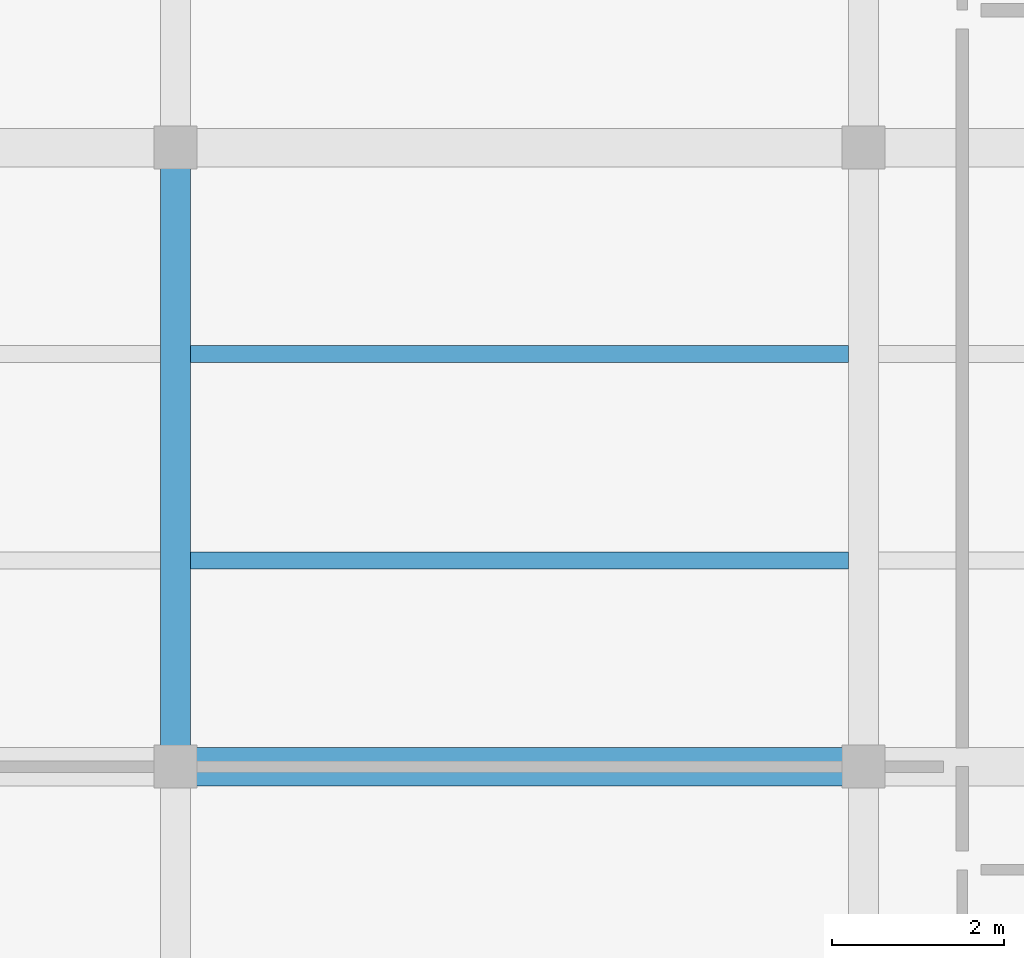
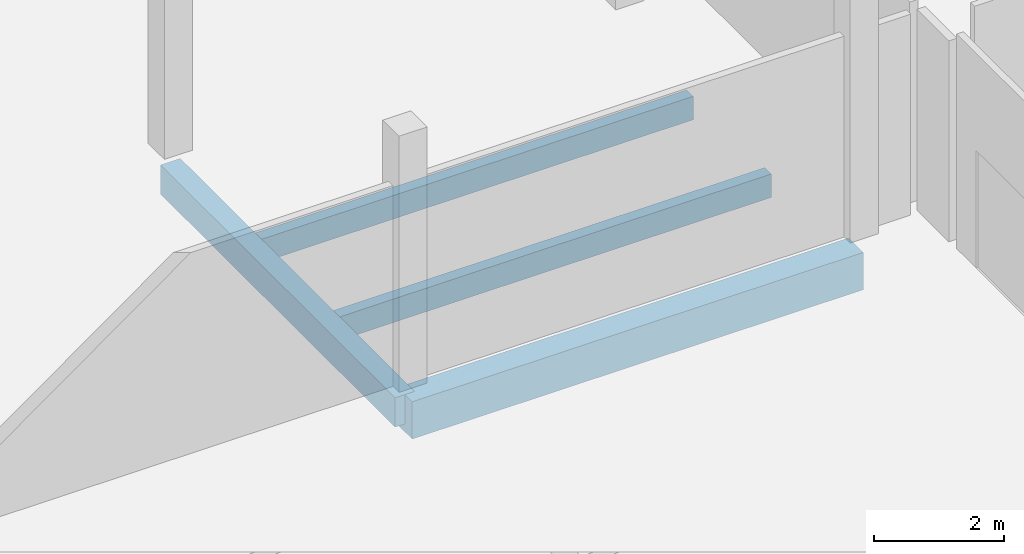
# One storey, part 60 of 177: 4 beams.
"""IFC4 building model written with IfcOpenShell, lengths in metres."""

from ifc_helpers import new_model, si_unit, direction, frame, origin, origin_2d, place, context, subcontext, project, spatial, rectangle, extrude, material, material_profile, profile_set, type_object, element, save


model = new_model("IFC4")

# Units and contexts
model_context = context("Model", 3, precision=1e-05, world=origin(), true_north=direction((0.0, 1.0)))
body_context = subcontext(model_context, "Body", "Model", "MODEL_VIEW")
ifc_project = project(units=[si_unit("LENGTHUNIT", "METRE"), si_unit("AREAUNIT", "SQUARE_METRE"), si_unit("VOLUMEUNIT", "CUBIC_METRE"), si_unit("PLANEANGLEUNIT", "RADIAN"), si_unit("MASSUNIT", "GRAM", prefix="KILO")], contexts=[model_context])

# Site, building, storey
site_placement = place(None, origin())
site = spatial("IfcSite", under=ifc_project, at=site_placement, CompositionType="ELEMENT")
building_placement = place(site_placement, origin())
building = spatial("IfcBuilding", under=site, at=building_placement, Name="Chiffa Square Polytechnic", CompositionType="ELEMENT")
storey_placement = place(building_placement, frame((0.0, 0.0, 4.800048828125)))
storey = spatial("IfcBuildingStorey", under=building, at=storey_placement, Name="L01", CompositionType="ELEMENT", Elevation=4.800048828125)

# Beams
ifc_material_1 = material(Name="Concrete C35/45", Category="concrete")
ifc_material_profile_1 = material_profile(ifc_material_1, rectangle(XDim=0.35009765625, YDim=0.550048828125, at=origin_2d()), Name="RC 350x550")
ifc_profile_set_1 = profile_set([ifc_material_profile_1], Name="Concrete C35/45")
beam_type_1 = type_object("IfcBeamType", Name="BM-RC-350X550", PredefinedType="BEAM", material=ifc_profile_set_1)
beam_1_placement = place(storey_placement, frame((8.0, 65.39990234375, -0.554931640625), z_axis=(0.0, 1.0, 0.0), x_axis=(-1.0, 0.0, 0.0)))
element("IfcBeam", 1, at=beam_1_placement, inside=storey, type_object=beam_type_1, Name="Primary floor girder BM-V6-L01-Y-0080-0654", PredefinedType="BEAM", context=body_context, shape_type="SweptSolid", body=[
    extrude(rectangle(XDim=0.35009765625, YDim=0.550048828125, at=origin_2d()), origin(), (0.0, 0.0, 1.0), 7.2001953125),
])
ifc_material_profile_2 = material_profile(ifc_material_1, rectangle(XDim=0.449951171875, YDim=0.699951171875, at=origin_2d()), Name="RC 450x700")
ifc_profile_set_2 = profile_set([ifc_material_profile_2], Name="Concrete C35/45")
beam_type_2 = type_object("IfcBeamType", Name="BM-RC-450X700", PredefinedType="BEAM", material=ifc_profile_set_2)
beam_2_placement = place(storey_placement, frame((8.0, 65.39990234375, -0.630126953125), z_axis=(1.0, 0.0, 0.0), x_axis=(0.0, 1.0, 0.0)))
element("IfcBeam", 2, at=beam_2_placement, inside=storey, type_object=beam_type_2, Name="Primary floor girder BM-V6-L01-X-0080-0654", PredefinedType="BEAM", context=body_context, shape_type="SweptSolid", body=[
    extrude(rectangle(XDim=0.449951171875, YDim=0.699951171875, at=origin_2d()), origin(), (0.0, 0.0, 1.0), 8.0),
])
ifc_material_2 = material(Name="Glulam GL28h", Category="wood")
ifc_material_profile_3 = material_profile(ifc_material_2, rectangle(XDim=0.199951171875, YDim=0.43994140625, at=origin_2d()), Name="GL28h 200x440")
ifc_profile_set_3 = profile_set([ifc_material_profile_3], Name="Glulam GL28h")
beam_type_3 = type_object("IfcBeamType", Name="JST-GL-200X440", PredefinedType="JOIST", material=ifc_profile_set_3)
for number, where, z_axis, x_axis, name in (
    (3, (8.173095703125, 67.800048828125, -0.5), (1.0, 0.0, 0.0), (0.0, 1.0, 0.0), "Secondary floor joist JST-V6-L01-0080-0678"),
    (4, (8.173095703125, 70.199951171875, -0.5), (1.0, 0.0, 0.0), (0.0, 1.0, 0.0), "Secondary floor joist JST-V6-L01-0080-0702"),
):
    element("IfcBeam", number, at=place(storey_placement, frame(where, z_axis=z_axis, x_axis=x_axis)), inside=storey, type_object=beam_type_3, Name=name, PredefinedType="JOIST", context=body_context, shape_type="SweptSolid", body=[
        extrude(rectangle(XDim=0.199951171875, YDim=0.43994140625, at=origin_2d()), origin(), (0.0, 0.0, 1.0), 7.65380859375),
    ])

save(model, "model.ifc")
